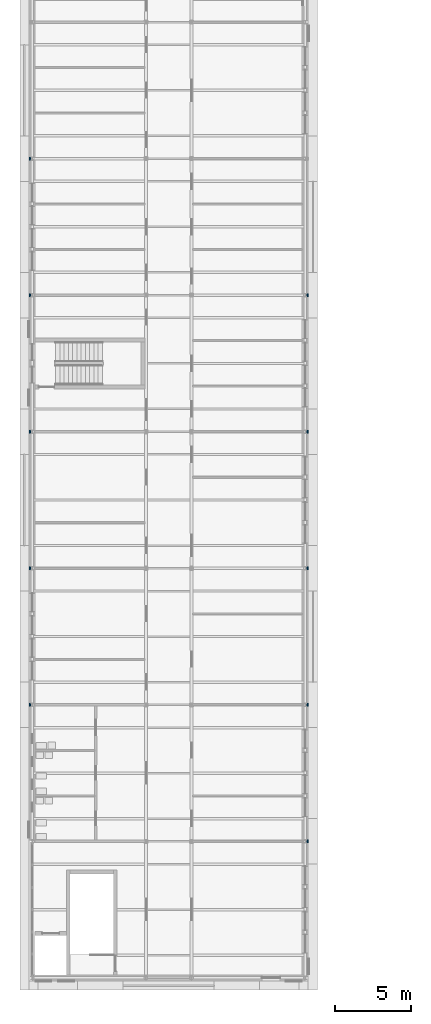
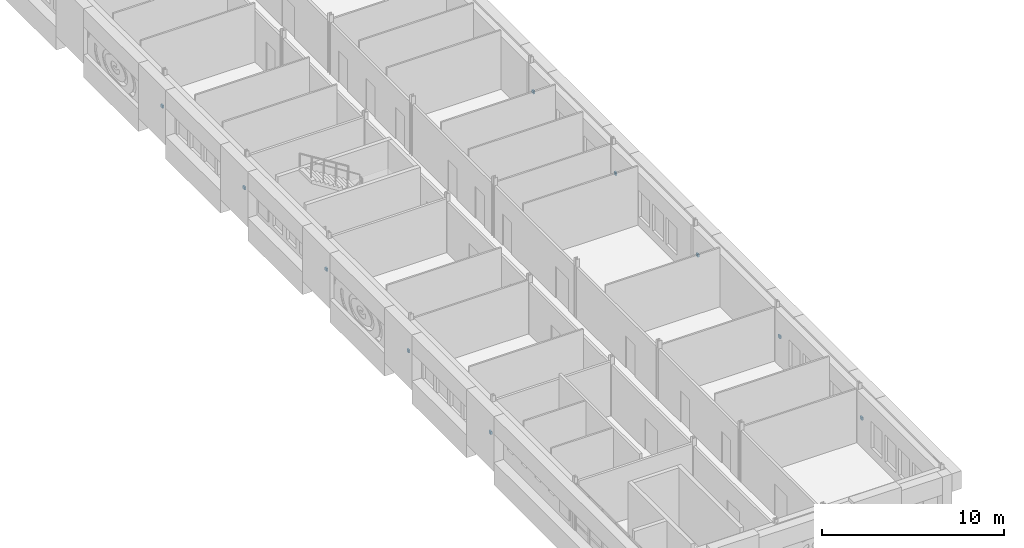
# One storey, part 31 of 42: 10 discrete accessories.
"""IFC4 building model written with IfcOpenShell, lengths in metres."""

from ifc_helpers import new_model, si_unit, direction, frame, origin, origin_2d, place, context, subcontext, project, spatial, rectangle, extrude, material, type_object, element, save


model = new_model("IFC4")

# Units and contexts
model_context = context("Model", 3, precision=1e-05, world=origin(), true_north=direction((0.0, 1.0)))
body_context = subcontext(model_context, "Body", "Model", "MODEL_VIEW")
ifc_project = project(units=[si_unit("LENGTHUNIT", "METRE"), si_unit("AREAUNIT", "SQUARE_METRE"), si_unit("VOLUMEUNIT", "CUBIC_METRE"), si_unit("PLANEANGLEUNIT", "RADIAN"), si_unit("MASSUNIT", "GRAM", prefix="KILO")], contexts=[model_context])

# Site, building, storey
site_placement = place(None, origin())
site = spatial("IfcSite", under=ifc_project, at=site_placement, CompositionType="ELEMENT")
building_placement = place(site_placement, origin())
building = spatial("IfcBuilding", under=site, at=building_placement, Name="Golden Quay Civic Hall", CompositionType="ELEMENT")
storey_placement = place(building_placement, frame((0.0, 0.0, 22.800048828125)))
storey = spatial("IfcBuildingStorey", under=building, at=storey_placement, Name="L05", CompositionType="ELEMENT", Elevation=22.800048828125)

# Discrete accessories
ifc_material = material(Name="Steel S355", Category="steel")
discrete_accessory_type = type_object("IfcDiscreteAccessoryType", Name="Pier fixing bracket 200 x 200", PredefinedType="BRACKET", material=ifc_material)
for number, where, z_axis, x_axis, name in (
    (1, (-0.14990234375, 9.0, 1.39990234375), (0.0, 0.0, 1.0), (0.0, -1.0, 0.0), "Pier fixing bracket 200 x 200 L05 1"),
    (2, (-0.14990234375, 18.0, 1.39990234375), (0.0, 0.0, 1.0), (0.0, -1.0, 0.0), "Pier fixing bracket 200 x 200 L05 2"),
    (3, (-0.14990234375, 27.0, 1.39990234375), (0.0, 0.0, 1.0), (0.0, -1.0, 0.0), "Pier fixing bracket 200 x 200 L05 3"),
    (4, (-0.14990234375, 36.0, 1.39990234375), (0.0, 0.0, 1.0), (0.0, -1.0, 0.0), "Pier fixing bracket 200 x 200 L05 4"),
    (5, (-0.14990234375, 45.0, 1.39990234375), (0.0, 0.0, 1.0), (0.0, -1.0, 0.0), "Pier fixing bracket 200 x 200 L05 5"),
    (6, (18.14990234375, 0.0, 1.39990234375), (0.0, 0.0, 1.0), (0.0, 1.0, 0.0), "Pier fixing bracket 200 x 200 L05 8"),
    (7, (18.14990234375, 9.0, 1.39990234375), (0.0, 0.0, 1.0), (0.0, 1.0, 0.0), "Pier fixing bracket 200 x 200 L05 9"),
    (8, (18.14990234375, 18.0, 1.39990234375), (0.0, 0.0, 1.0), (0.0, 1.0, 0.0), "Pier fixing bracket 200 x 200 L05 10"),
    (9, (18.14990234375, 27.0, 1.39990234375), (0.0, 0.0, 1.0), (0.0, 1.0, 0.0), "Pier fixing bracket 200 x 200 L05 11"),
    (10, (18.14990234375, 36.0, 1.39990234375), (0.0, 0.0, 1.0), (0.0, 1.0, 0.0), "Pier fixing bracket 200 x 200 L05 12"),
):
    element("IfcDiscreteAccessory", number, at=place(storey_placement, frame(where, z_axis=z_axis, x_axis=x_axis)), inside=storey, type_object=discrete_accessory_type, Name=name, PredefinedType="BRACKET", context=body_context, shape_type="SweptSolid", body=[
        extrude(rectangle(XDim=0.199951171875, YDim=0.10009765625, at=origin_2d()), origin(), (0.0, 0.0, 1.0), 0.199951171875),
    ])

save(model, "model.ifc")
